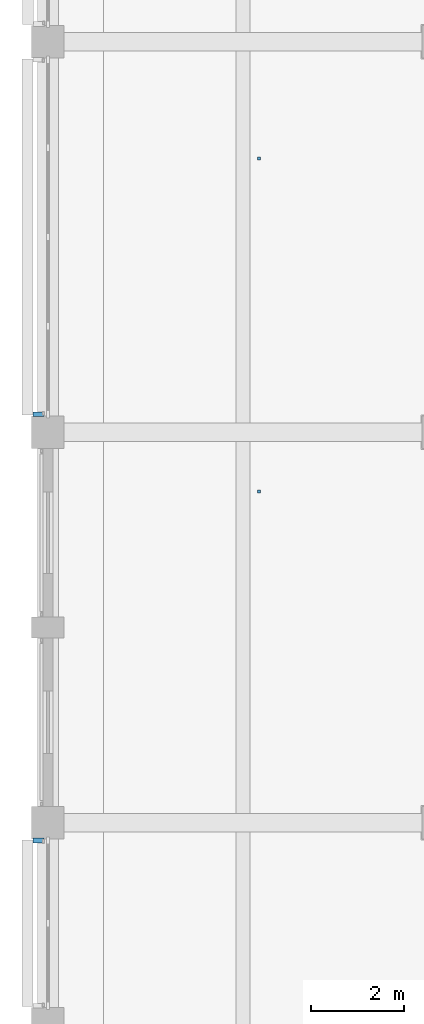
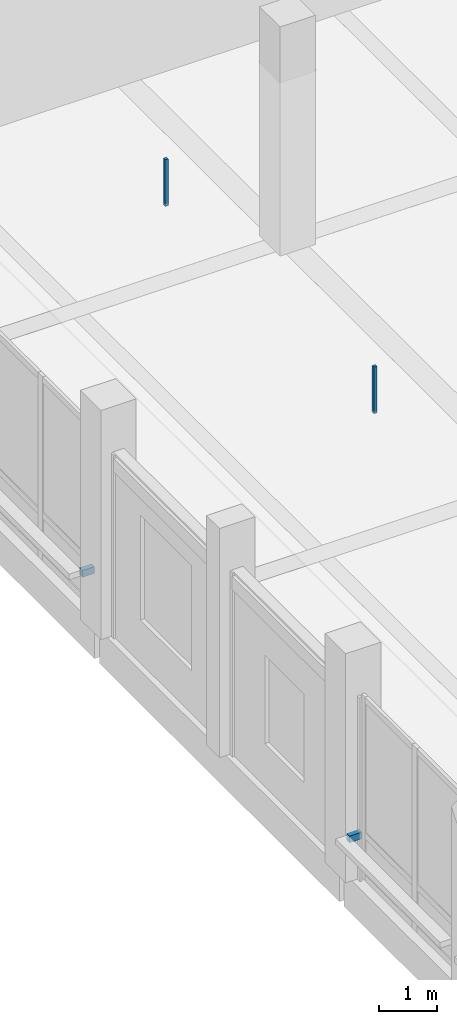
# One storey, part 70 of 128: 4 discrete accessories.
"""IFC4 building model written with IfcOpenShell, lengths in metres."""

from ifc_helpers import new_model, si_unit, direction, frame, origin, origin_2d, place, context, subcontext, project, spatial, rectangle, extrude, material, type_object, element, save


model = new_model("IFC4")

# Units and contexts
model_context = context("Model", 3, precision=1e-05, world=origin(), true_north=direction((0.0, 1.0)))
body_context = subcontext(model_context, "Body", "Model", "MODEL_VIEW")
ifc_project = project(units=[si_unit("LENGTHUNIT", "METRE"), si_unit("AREAUNIT", "SQUARE_METRE"), si_unit("VOLUMEUNIT", "CUBIC_METRE"), si_unit("PLANEANGLEUNIT", "RADIAN"), si_unit("MASSUNIT", "GRAM", prefix="KILO")], contexts=[model_context])

# Site, building, storey
site_placement = place(None, origin())
site = spatial("IfcSite", under=ifc_project, at=site_placement, CompositionType="ELEMENT")
building_placement = place(site_placement, origin())
building = spatial("IfcBuilding", under=site, at=building_placement, Name="Telukmera Botanical Conservatory", CompositionType="ELEMENT")
storey_placement = place(building_placement, frame((0.0, 0.0, 5.39990234375)))
storey = spatial("IfcBuildingStorey", under=building, at=storey_placement, Name="L01", CompositionType="ELEMENT", Elevation=5.39990234375)

# Discrete accessories
ifc_material = material(Name="Steel S355", Category="steel")
discrete_accessory_type_1 = type_object("IfcDiscreteAccessoryType", Name="ACC-CEIL-HGR", PredefinedType="BRACKET", material=ifc_material)
for number, where, z_axis, x_axis, name in (
    (1, (12.939697265625, 33.125, 3.610107421875), (0.0, 0.0, 1.0), (1.0, 0.0, 0.0), "L01 Suspended Ceiling Hanger Rod 010-1"),
    (2, (12.939697265625, 40.28759765625, 3.610107421875), (0.0, 0.0, 1.0), (1.0, 0.0, 0.0), "L01 Suspended Ceiling Hanger Rod 010-2"),
):
    element("IfcDiscreteAccessory", number, at=place(storey_placement, frame(where, z_axis=z_axis, x_axis=x_axis)), inside=storey, type_object=discrete_accessory_type_1, Name=name, PredefinedType="BRACKET", context=body_context, shape_type="SweptSolid", body=[
        extrude(rectangle(XDim=0.06005859375, YDim=0.06005859375, at=origin_2d()), origin(), (0.0, 0.0, 1.0), 0.97509765625),
    ])
discrete_accessory_type_2 = type_object("IfcDiscreteAccessoryType", Name="Structural Steel Facade Outrigger Fin Bracket", PredefinedType="BRACKET", material=ifc_material)
for number, where, z_axis, x_axis, name in (
    (3, (8.199951171875, 25.615478515625, 0.88037109375), (0.0, 0.0, 1.0), (0.0, 1.0, 0.0), "Facade Outrigger Bracket V3:L01:W1B B"),
    (4, (8.199951171875, 34.784423828125, 0.88037109375), (0.0, 0.0, 1.0), (0.0, 1.0, 0.0), "Facade Outrigger Bracket V3:L01:W3 A"),
):
    element("IfcDiscreteAccessory", number, at=place(storey_placement, frame(where, z_axis=z_axis, x_axis=x_axis)), inside=storey, type_object=discrete_accessory_type_2, Name=name, PredefinedType="BRACKET", context=body_context, shape_type="SweptSolid", body=[
        extrude(rectangle(XDim=0.10009765625, YDim=0.239990234375, at=origin_2d()), origin(), (0.0, 0.0, 1.0), 0.139892578125),
    ])

save(model, "model.ifc")
